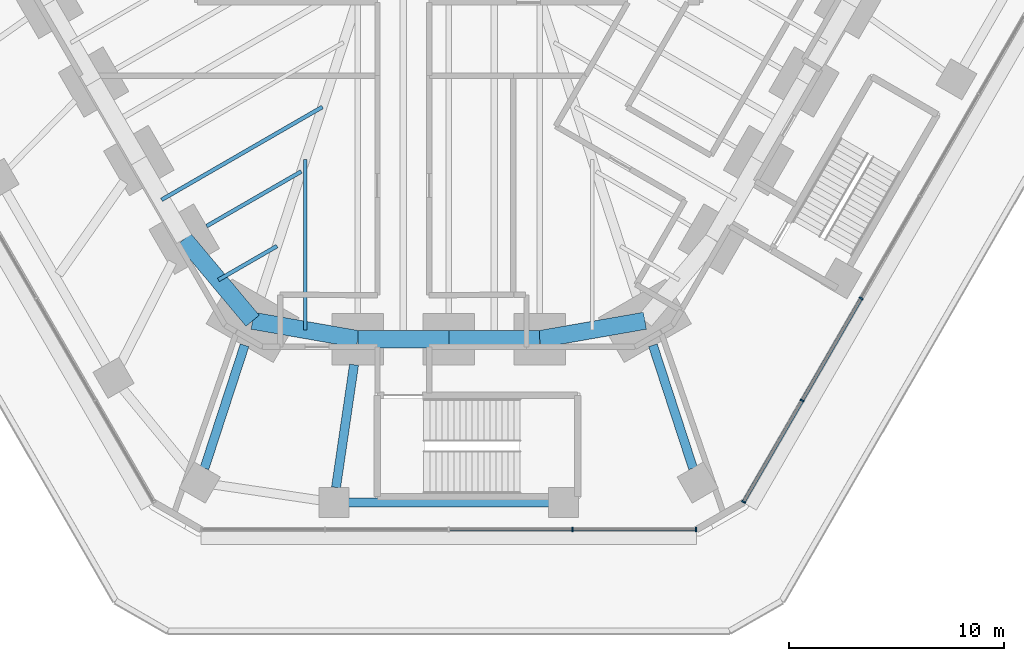
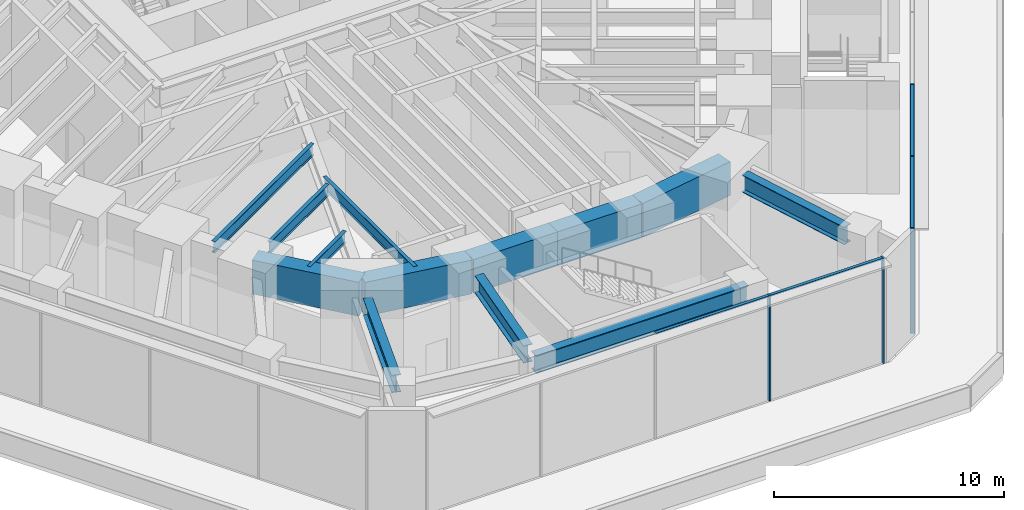
# One storey, part 3 of 24: 13 beams, 9 members, 2 elements without a shape of their own.
"""IFC4 building model written with IfcOpenShell, lengths in metres."""

from ifc_helpers import new_model, si_unit, direction, frame, origin, origin_2d, place, context, subcontext, project, spatial, rectangle, i_section, extrude, material, material_profile, profile_set, type_object, element, aggregate, save


model = new_model("IFC4")

# Units and contexts
model_context = context("Model", 3, precision=1e-05, world=origin(), true_north=direction((0.0, 1.0)))
body_context = subcontext(model_context, "Body", "Model", "MODEL_VIEW")
ifc_project = project(units=[si_unit("LENGTHUNIT", "METRE"), si_unit("AREAUNIT", "SQUARE_METRE"), si_unit("VOLUMEUNIT", "CUBIC_METRE"), si_unit("PLANEANGLEUNIT", "RADIAN"), si_unit("MASSUNIT", "GRAM", prefix="KILO")], contexts=[model_context])

# Site, building, storey
site_placement = place(None, origin())
site = spatial("IfcSite", under=ifc_project, at=site_placement, CompositionType="ELEMENT")
building_placement = place(site_placement, origin())
building = spatial("IfcBuilding", under=site, at=building_placement, Name="Sandreach Pilgrim Tower", CompositionType="ELEMENT")
storey_placement = place(building_placement, frame((0.0, 0.0, 12.0)))
storey = spatial("IfcBuildingStorey", under=building, at=storey_placement, Name="L02", CompositionType="ELEMENT", Elevation=12.0)

# Curtain wall, members
ifc_material_1 = material(Name="Aluminium framed curtain wall", Category="aluminium")
curtain_wall_type = type_object("IfcCurtainWallType", Name="Podium storefront curtain wall", PredefinedType="NOTDEFINED", material=ifc_material_1)
curtain_wall_1_placement = place(storey_placement, origin())
curtain_wall_1 = element("IfcCurtainWall", 1, at=curtain_wall_1_placement, inside=storey, type_object=curtain_wall_type, Name="CW-P L02 SE", PredefinedType="NOTDEFINED")
ifc_material_2 = material(Name="Aluminium extrusion", Category="aluminium")
ifc_material_profile_1 = material_profile(ifc_material_2, rectangle(XDim=0.070068359375, YDim=0.199951171875, at=origin_2d()), Name="CW-PM 70X200")
ifc_profile_set_1 = profile_set([ifc_material_profile_1], Name="Aluminium extrusion")
member_type_1 = type_object("IfcMemberType", Name="CW-P mullion", PredefinedType="MULLION", material=ifc_profile_set_1)
member_1_placement = place(storey_placement, frame((19.1474609375, -26.857177734375, 0.0), z_axis=(0.0, 0.0, 1.0), x_axis=(-0.5, -0.866025403784, 0.0)))
member_1 = element("IfcMember", 2, at=member_1_placement, type_object=member_type_1, Name="CW-P mullion 8", PredefinedType="MULLION", context=body_context, shape_type="SweptSolid", body=[
    extrude(rectangle(XDim=0.070068359375, YDim=0.199951171875, at=origin_2d()), origin(), (0.0, 0.0, 1.0), 5.60009765625),
])
member_2_placement = place(storey_placement, frame((16.41064453125, -31.597900390625, 0.0), z_axis=(0.0, 0.0, 1.0), x_axis=(-0.5, -0.866025403784, 0.0)))
member_2 = element("IfcMember", 3, at=member_2_placement, type_object=member_type_1, Name="CW-P mullion 9", PredefinedType="MULLION", context=body_context, shape_type="SweptSolid", body=[
    extrude(rectangle(XDim=0.070068359375, YDim=0.199951171875, at=origin_2d()), origin(), (0.0, 0.0, 1.0), 5.60009765625),
])
member_3_placement = place(storey_placement, frame((13.69091796875, -36.308349609375, 0.0), z_axis=(0.0, 0.0, 1.0), x_axis=(-0.5, -0.866025403784, 0.0)))
member_3 = element("IfcMember", 4, at=member_3_placement, type_object=member_type_1, Name="CW-P mullion 10", PredefinedType="MULLION", context=body_context, shape_type="SweptSolid", body=[
    extrude(rectangle(XDim=0.070068359375, YDim=0.199951171875, at=origin_2d()), origin(), (0.0, 0.0, 1.0), 5.60009765625),
])

curtain_wall_2_placement = place(storey_placement, origin())
curtain_wall_2 = element("IfcCurtainWall", 5, at=curtain_wall_2_placement, inside=storey, type_object=curtain_wall_type, Name="CW-P L02 S", PredefinedType="NOTDEFINED")
member_4_placement = place(storey_placement, frame((11.473388671875, -37.588623046875, 0.0), z_axis=(0.0, 0.0, 1.0), x_axis=(-1.0, 0.0, 0.0)))
member_4 = element("IfcMember", 6, at=member_4_placement, type_object=member_type_1, Name="CW-P mullion 1", PredefinedType="MULLION", context=body_context, shape_type="SweptSolid", body=[
    extrude(rectangle(XDim=0.070068359375, YDim=0.199951171875, at=origin_2d()), origin(), (0.0, 0.0, 1.0), 5.60009765625),
])
member_5_placement = place(storey_placement, frame((5.754150390625, -37.588623046875, 0.0), z_axis=(0.0, 0.0, 1.0), x_axis=(-1.0, 0.0, 0.0)))
member_5 = element("IfcMember", 7, at=member_5_placement, type_object=member_type_1, Name="CW-P mullion 2", PredefinedType="MULLION", context=body_context, shape_type="SweptSolid", body=[
    extrude(rectangle(XDim=0.070068359375, YDim=0.199951171875, at=origin_2d()), origin(), (0.0, 0.0, 1.0), 5.60009765625),
])

# Member
ifc_material_3 = material(Name="Aluminium extrusion", Category="aluminium")
ifc_material_profile_2 = material_profile(ifc_material_3, rectangle(XDim=0.159912109375, YDim=0.070068359375, at=origin_2d()), Name="CW-PT 160X70")
ifc_profile_set_2 = profile_set([ifc_material_profile_2], Name="Aluminium extrusion")
member_type_2 = type_object("IfcMemberType", Name="CW-P transom", PredefinedType="USERDEFINED", material=ifc_profile_set_2)
member_6_placement = place(storey_placement, frame((19.130126953125, -26.887451171875, 5.56494140625), z_axis=(-0.500006618465, -0.866021582578, 0.0), x_axis=(0.866021582578, -0.500006618465, 0.0)))
member_6 = element("IfcMember", 8, at=member_6_placement, type_object=member_type_2, Name="CW-P head transom 8", ObjectType="TRANSOM", PredefinedType="USERDEFINED", context=body_context, shape_type="SweptSolid", body=[
    extrude(rectangle(XDim=0.159912109375, YDim=0.070068359375, at=origin_2d()), origin(), (0.0, 0.0, 1.0), 5.404296875),
])

member_7_placement = place(storey_placement, frame((16.39306640625, -31.628173828125, 5.56494140625), z_axis=(-0.499992728342, -0.866029602037, 0.0), x_axis=(0.866029602037, -0.499992728342, 0.0)))
member_7 = element("IfcMember", 9, at=member_7_placement, type_object=member_type_2, Name="CW-P head transom 9", ObjectType="TRANSOM", PredefinedType="USERDEFINED", context=body_context, shape_type="SweptSolid", body=[
    extrude(rectangle(XDim=0.159912109375, YDim=0.070068359375, at=origin_2d()), origin(), (0.0, 0.0, 1.0), 5.369140625),
])

aggregate(curtain_wall_1, [member_1, member_2, member_3, member_6, member_7])

member_8_placement = place(storey_placement, frame((11.4384765625, -37.588623046875, 5.56494140625), z_axis=(-1.0, 0.0, 0.0), x_axis=(0.0, -1.0, 0.0)))
member_8 = element("IfcMember", 10, at=member_8_placement, type_object=member_type_2, Name="CW-P head transom 1", ObjectType="TRANSOM", PredefinedType="USERDEFINED", context=body_context, shape_type="SweptSolid", body=[
    extrude(rectangle(XDim=0.159912109375, YDim=0.070068359375, at=origin_2d()), origin(), (0.0, 0.0, 1.0), 5.649169921875),
])

member_9_placement = place(storey_placement, frame((5.71923828125, -37.588623046875, 5.56494140625), z_axis=(-1.0, 0.0, 0.0), x_axis=(0.0, -1.0, 0.0)))
member_9 = element("IfcMember", 11, at=member_9_placement, type_object=member_type_2, Name="CW-P head transom 2", ObjectType="TRANSOM", PredefinedType="USERDEFINED", context=body_context, shape_type="SweptSolid", body=[
    extrude(rectangle(XDim=0.159912109375, YDim=0.070068359375, at=origin_2d()), origin(), (0.0, 0.0, 1.0), 5.684326171875),
])

aggregate(curtain_wall_2, [member_4, member_5, member_8, member_9])

# Beams
ifc_material_4 = material(Name="Steel ASTM A992 Grade 50", Category="steel")
ifc_material_profile_3 = material_profile(ifc_material_4, i_section(OverallWidth=0.1787109375, OverallDepth=0.60205078125, WebThickness=0.010986328125, FlangeThickness=0.014892578125, at=origin_2d()), Name="W24X62")
ifc_profile_set_3 = profile_set([ifc_material_profile_3], Name="Steel ASTM A992 Grade 50")
beam_type_1 = type_object("IfcBeamType", Name="Floor beam W24X62", PredefinedType="BEAM", material=ifc_profile_set_3)
beam_1_placement = place(storey_placement, frame((-11.242431640625, -23.5048828125, 5.5390625), z_axis=(0.866027897259, 0.49999568115, 0.0), x_axis=(-0.49999568115, 0.866027897259, 0.0)))
element("IfcBeam", 12, at=beam_1_placement, inside=storey, type_object=beam_type_1, Name="BM L02 F27", PredefinedType="BEAM", context=body_context, shape_type="SweptSolid", body=[
    extrude(i_section(OverallWidth=0.1787109375, OverallDepth=0.60205078125, WebThickness=0.010986328125, FlangeThickness=0.014892578125, at=origin_2d()), origin(), (0.0, 0.0, 1.0), 5.0791015625),
])
beam_2_placement = place(storey_placement, frame((-6.664306640625, -28.323974609375, 5.5390625), z_axis=(0.0, 1.0, 0.0), x_axis=(-1.0, 0.0, 0.0)))
element("IfcBeam", 13, at=beam_2_placement, inside=storey, type_object=beam_type_1, Name="BM L02 FM25", PredefinedType="BEAM", context=body_context, shape_type="SweptSolid", body=[
    extrude(i_section(OverallWidth=0.1787109375, OverallDepth=0.60205078125, WebThickness=0.010986328125, FlangeThickness=0.014892578125, at=origin_2d()), origin(), (0.0, 0.0, 1.0), 7.907958984375),
])
beam_3_placement = place(storey_placement, frame((-10.694091796875, -26.0009765625, 5.5390625), z_axis=(0.866023718453, 0.500002919068, 0.0), x_axis=(-0.500002919068, 0.866023718453, 0.0)))
element("IfcBeam", 14, at=beam_3_placement, inside=storey, type_object=beam_type_1, Name="BM L02 FM26", PredefinedType="BEAM", context=body_context, shape_type="SweptSolid", body=[
    extrude(i_section(OverallWidth=0.1787109375, OverallDepth=0.60205078125, WebThickness=0.010986328125, FlangeThickness=0.014892578125, at=origin_2d()), origin(), (0.0, 0.0, 1.0), 3.1396484375),
])
beam_4_placement = place(storey_placement, frame((-13.334228515625, -22.281982421875, 5.5390625), z_axis=(0.86602717807, 0.499996926835, 0.0), x_axis=(-0.499996926835, 0.86602717807, 0.0)))
element("IfcBeam", 15, at=beam_4_placement, inside=storey, type_object=beam_type_1, Name="BM L02 FM27", PredefinedType="BEAM", context=body_context, shape_type="SweptSolid", body=[
    extrude(i_section(OverallWidth=0.1787109375, OverallDepth=0.60205078125, WebThickness=0.010986328125, FlangeThickness=0.014892578125, at=origin_2d()), origin(), (0.0, 0.0, 1.0), 8.62353515625),
])
ifc_material_5 = material(Name="Steel ASTM A992 Grade 50", Category="steel")
ifc_material_profile_4 = material_profile(ifc_material_5, i_section(OverallWidth=0.419189453125, OverallDepth=0.927001953125, WebThickness=0.019287109375, FlangeThickness=0.031982421875, at=origin_2d()), Name="W36X231")
ifc_profile_set_4 = profile_set([ifc_material_profile_4], Name="Steel ASTM A992 Grade 50")
beam_type_2 = type_object("IfcBeamType", Name="Podium beam W36X231", PredefinedType="BEAM", material=ifc_profile_set_4)
beam_5_placement = place(storey_placement, frame((9.478759765625, -29.037841796875, 5.136474609375), z_axis=(0.310289989087, -0.950641952931, 0.0), x_axis=(0.950641952931, 0.310289989087, 0.0)))
element("IfcBeam", 16, at=beam_5_placement, inside=storey, type_object=beam_type_2, Name="BM L02 PR125-22", PredefinedType="BEAM", context=body_context, shape_type="SweptSolid", body=[
    extrude(i_section(OverallWidth=0.419189453125, OverallDepth=0.927001953125, WebThickness=0.019287109375, FlangeThickness=0.031982421875, at=origin_2d()), origin(), (0.0, 0.0, 1.0), 6.0009765625),
])
beam_6_placement = place(storey_placement, frame((-4.396728515625, -29.938232421875, 5.136474609375), z_axis=(-0.145284063583, -0.989389984217, 0.0), x_axis=(0.989389984217, -0.145284063583, 0.0)))
element("IfcBeam", 17, at=beam_6_placement, inside=storey, type_object=beam_type_2, Name="BM L02 PR125-25", PredefinedType="BEAM", context=body_context, shape_type="SweptSolid", body=[
    extrude(i_section(OverallWidth=0.419189453125, OverallDepth=0.927001953125, WebThickness=0.019287109375, FlangeThickness=0.031982421875, at=origin_2d()), origin(), (0.0, 0.0, 1.0), 5.7587890625),
])
beam_7_placement = place(storey_placement, frame((-9.478759765625, -29.037841796875, 5.136474609375), z_axis=(-0.310289989087, -0.950641952931, 0.0), x_axis=(0.950641952931, -0.310289989087, 0.0)))
element("IfcBeam", 18, at=beam_7_placement, inside=storey, type_object=beam_type_2, Name="BM L02 PR125-26", PredefinedType="BEAM", context=body_context, shape_type="SweptSolid", body=[
    extrude(i_section(OverallWidth=0.419189453125, OverallDepth=0.927001953125, WebThickness=0.019287109375, FlangeThickness=0.031982421875, at=origin_2d()), origin(), (0.0, 0.0, 1.0), 6.0009765625),
])
ifc_material_6 = material(Name="Steel ASTM A992 Grade 50", Category="steel")
ifc_material_profile_5 = material_profile(ifc_material_6, i_section(OverallWidth=0.424072265625, OverallDepth=0.947509765625, WebThickness=0.02392578125, FlangeThickness=0.042724609375, at=origin_2d()), Name="W36X302")
ifc_profile_set_5 = profile_set([ifc_material_profile_5], Name="Steel ASTM A992 Grade 50")
beam_type_3 = type_object("IfcBeamType", Name="Podium edge beam W36X302", PredefinedType="BEAM", material=ifc_profile_set_5)
beam_8_placement = place(storey_placement, frame((5.335205078125, -36.32861328125, 5.126220703125), z_axis=(-1.0, 0.0, 0.0), x_axis=(0.0, -1.0, 0.0)))
element("IfcBeam", 19, at=beam_8_placement, inside=storey, type_object=beam_type_3, Name="BM L02 PE125-23", PredefinedType="BEAM", context=body_context, shape_type="SweptSolid", body=[
    extrude(i_section(OverallWidth=0.424072265625, OverallDepth=0.947509765625, WebThickness=0.02392578125, FlangeThickness=0.042724609375, at=origin_2d()), origin(), (0.0, 0.0, 1.0), 10.67041015625),
])
ifc_material_7 = material(Name="Concrete 10000 psi", Category="concrete")
ifc_material_profile_6 = material_profile(ifc_material_7, rectangle(XDim=0.800048828125, YDim=1.800048828125, at=origin_2d()), Name="RC800X1800")
ifc_profile_set_6 = profile_set([ifc_material_profile_6], Name="Concrete 10000 psi")
beam_type_4 = type_object("IfcBeamType", Name="Spandrel beam RC800X1800", PredefinedType="SPANDREL", material=ifc_profile_set_6)
beam_9_placement = place(storey_placement, frame((9.1064453125, -27.89697265625, 4.93994140625), z_axis=(-0.985054495501, -0.17224297052, 0.0), x_axis=(0.17224297052, -0.985054495501, 0.0)))
element("IfcBeam", 20, at=beam_9_placement, inside=storey, type_object=beam_type_4, Name="BM L02 SP22", PredefinedType="SPANDREL", context=body_context, shape_type="SweptSolid", body=[
    extrude(rectangle(XDim=0.800048828125, YDim=1.800048828125, at=origin_2d()), origin(), (0.0, 0.0, 1.0), 4.958251953125),
])
for number, where, z_axis, x_axis, name in (
    (21, (4.222412109375, -28.7509765625, 4.93994140625), (-1.0, 0.0, 0.0), (0.0, -1.0, 0.0), "BM L02 SP23"),
    (22, (0.0, -28.7509765625, 4.93994140625), (-1.0, 0.0, 0.0), (0.0, -1.0, 0.0), "BM L02 SP24"),
):
    element("IfcBeam", number, at=place(storey_placement, frame(where, z_axis=z_axis, x_axis=x_axis)), inside=storey, type_object=beam_type_4, Name=name, PredefinedType="SPANDREL", context=body_context, shape_type="SweptSolid", body=[
        extrude(rectangle(XDim=0.800048828125, YDim=1.800048828125, at=origin_2d()), origin(), (0.0, 0.0, 1.0), 4.222412109375),
    ])
beam_10_placement = place(storey_placement, frame((-4.222412109375, -28.7509765625, 4.93994140625), z_axis=(-0.985054495501, 0.17224297052, 0.0), x_axis=(-0.17224297052, -0.985054495501, 0.0)))
element("IfcBeam", 23, at=beam_10_placement, inside=storey, type_object=beam_type_4, Name="BM L02 SP25", PredefinedType="SPANDREL", context=body_context, shape_type="SweptSolid", body=[
    extrude(rectangle(XDim=0.800048828125, YDim=1.800048828125, at=origin_2d()), origin(), (0.0, 0.0, 1.0), 4.958251953125),
])
beam_11_placement = place(storey_placement, frame((-9.1064453125, -27.89697265625, 4.93994140625), z_axis=(-0.642008193922, 0.766697775488, 0.0), x_axis=(-0.766697775488, -0.642008193922, 0.0)))
element("IfcBeam", 24, at=beam_11_placement, inside=storey, type_object=beam_type_4, Name="BM L02 SP26", PredefinedType="SPANDREL", context=body_context, shape_type="SweptSolid", body=[
    extrude(rectangle(XDim=0.800048828125, YDim=1.800048828125, at=origin_2d()), origin(), (0.0, 0.0, 1.0), 4.94580078125),
])

save(model, "model.ifc")
